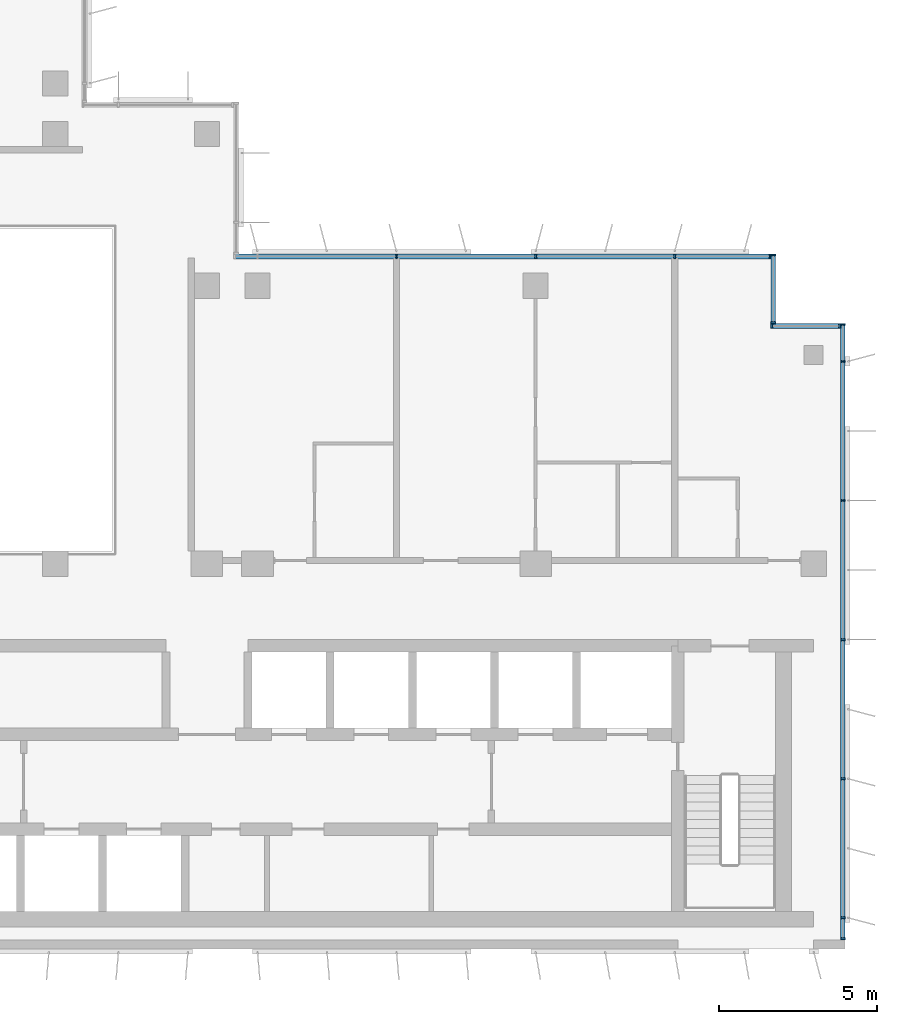
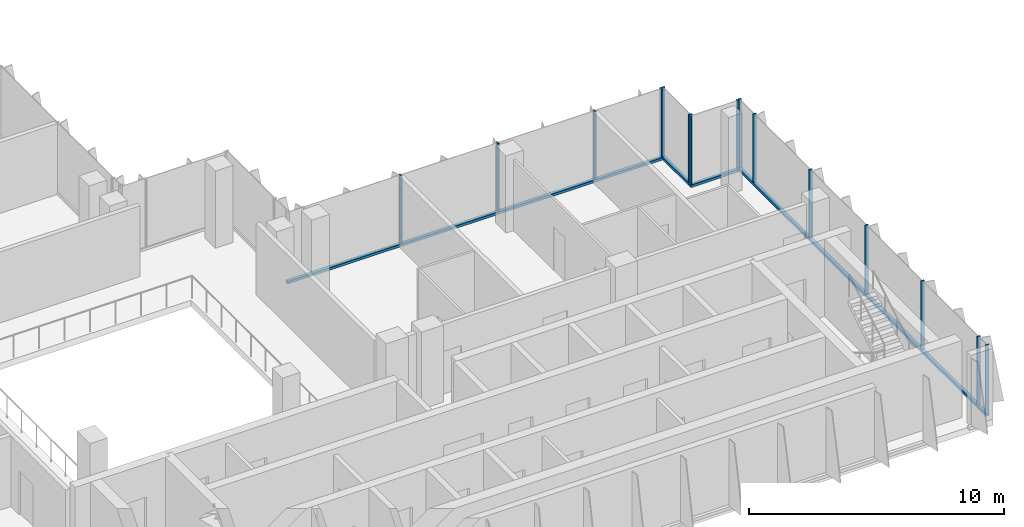
# One storey, part 3 of 16: 19 members, 4 elements without a shape of their own.
"""IFC4 building model written with IfcOpenShell, lengths in metres."""

from ifc_helpers import new_model, si_unit, direction, frame, origin, origin_2d, place, context, subcontext, project, spatial, rectangle, extrude, source, transform, mapped, material, material_profile, profile_set, type_object, element, aggregate, save


model = new_model("IFC4")

# Units and contexts
model_context = context("Model", 3, precision=1e-05, world=origin(), true_north=direction((0.0, 1.0)))
body_context = subcontext(model_context, "Body", "Model", "MODEL_VIEW")
ifc_project = project(units=[si_unit("LENGTHUNIT", "METRE"), si_unit("AREAUNIT", "SQUARE_METRE"), si_unit("VOLUMEUNIT", "CUBIC_METRE"), si_unit("PLANEANGLEUNIT", "RADIAN"), si_unit("MASSUNIT", "GRAM", prefix="KILO")], contexts=[model_context])

# Site, building, storey
site_placement = place(None, origin())
site = spatial("IfcSite", under=ifc_project, at=site_placement, CompositionType="ELEMENT")
building_placement = place(site_placement, origin())
building = spatial("IfcBuilding", under=site, at=building_placement, Name="Kemantara Hotel Tower", CompositionType="ELEMENT")
storey_placement = place(building_placement, frame((0.0, 0.0, 283.300048828125)))
storey = spatial("IfcBuildingStorey", under=building, at=storey_placement, Name="L71", CompositionType="ELEMENT", Elevation=283.300048828125)

# Curtain wall, member
ifc_material_1 = material(Name="Low-E tinted double insulated glass 36 mm", Category="glass")
curtain_wall_type = type_object("IfcCurtainWallType", Name="TOWER CURTAIN WALL, FRONT FACES", PredefinedType="USERDEFINED", material=ifc_material_1)
curtain_wall_1_placement = place(storey_placement, origin())
curtain_wall_1 = element("IfcCurtainWall", 1, at=curtain_wall_1_placement, inside=storey, type_object=curtain_wall_type, Name="CW4 L71 T4-R09-1", ObjectType="TOWER CURTAIN WALL, FRONT FACES", PredefinedType="USERDEFINED")
ifc_material_2 = material(Name="Aluminium 6063-T6 bronze anodised", Category="aluminium")
ifc_material_profile_1 = material_profile(ifc_material_2, rectangle(XDim=0.14990234375, YDim=0.1201171875, at=origin_2d()), Name="TOWER CURTAIN WALL, FRONT FACES TRANSOM")
ifc_profile_set_1 = profile_set([ifc_material_profile_1], Name="Aluminium 6063-T6 bronze anodised")
member_type_1 = type_object("IfcMemberType", Name="TOWER CURTAIN WALL, FRONT FACES TRANSOM", PredefinedType="USERDEFINED", material=ifc_profile_set_1)
member_1_placement = place(storey_placement, frame((45.925048828125, 0.300048828125, 0.06005859375), z_axis=(0.0, 1.0, 0.0), x_axis=(-1.0, 0.0, 0.0)))
member_1 = element("IfcMember", 2, at=member_1_placement, type_object=member_type_1, Name="CW4 sill transom T4-R09-1", ObjectType="TRANSOM", PredefinedType="USERDEFINED", context=body_context, shape_type="SweptSolid", body=[
    extrude(rectangle(XDim=0.14990234375, YDim=0.1201171875, at=origin_2d()), origin(), (0.0, 0.0, 1.0), 19.5),
])

curtain_wall_2_placement = place(storey_placement, origin())
curtain_wall_2 = element("IfcCurtainWall", 3, at=curtain_wall_2_placement, inside=storey, type_object=curtain_wall_type, Name="CW4 L71 T4-R12-1", ObjectType="TOWER CURTAIN WALL, FRONT FACES", PredefinedType="USERDEFINED")
member_2_placement = place(storey_placement, frame((43.64990234375, 21.925048828125, 0.06005859375), z_axis=(-1.0, 0.0, 0.0), x_axis=(0.0, -1.0, 0.0)))
member_2 = element("IfcMember", 4, at=member_2_placement, type_object=member_type_1, Name="CW4 sill transom T4-R12-1", ObjectType="TRANSOM", PredefinedType="USERDEFINED", context=body_context, shape_type="SweptSolid", body=[
    extrude(rectangle(XDim=0.14990234375, YDim=0.1201171875, at=origin_2d()), origin(), (0.0, 0.0, 1.0), 17.0),
])

curtain_wall_3_placement = place(storey_placement, origin())
curtain_wall_3 = element("IfcCurtainWall", 5, at=curtain_wall_3_placement, inside=storey, type_object=curtain_wall_type, Name="CW4 L71 T4-R10-1", ObjectType="TOWER CURTAIN WALL, FRONT FACES", PredefinedType="USERDEFINED")
member_3_placement = place(storey_placement, frame((45.85009765625, 19.72509765625, 0.06005859375), z_axis=(-1.0, 0.0, 0.0), x_axis=(0.0, -1.0, 0.0)))
member_3 = element("IfcMember", 6, at=member_3_placement, type_object=member_type_1, Name="CW4 sill transom T4-R10-1", ObjectType="TRANSOM", PredefinedType="USERDEFINED", context=body_context, shape_type="SweptSolid", body=[
    extrude(rectangle(XDim=0.14990234375, YDim=0.1201171875, at=origin_2d()), origin(), (0.0, 0.0, 1.0), 2.2001953125),
])

curtain_wall_4_placement = place(storey_placement, origin())
curtain_wall_4 = element("IfcCurtainWall", 7, at=curtain_wall_4_placement, inside=storey, type_object=curtain_wall_type, Name="CW4 L71 T4-R11-1", ObjectType="TOWER CURTAIN WALL, FRONT FACES", PredefinedType="USERDEFINED")
member_4_placement = place(storey_placement, frame((43.72509765625, 19.800048828125, 0.06005859375), z_axis=(0.0, 1.0, 0.0), x_axis=(-1.0, 0.0, 0.0)))
member_4 = element("IfcMember", 8, at=member_4_placement, type_object=member_type_1, Name="CW4 sill transom T4-R11-1", ObjectType="TRANSOM", PredefinedType="USERDEFINED", context=body_context, shape_type="SweptSolid", body=[
    extrude(rectangle(XDim=0.14990234375, YDim=0.1201171875, at=origin_2d()), origin(), (0.0, 0.0, 1.0), 2.199951171875),
])

# Member
ifc_material_profile_2 = material_profile(ifc_material_2, rectangle(XDim=0.14990234375, YDim=0.06005859375, at=origin_2d()), Name="TOWER CURTAIN WALL, FRONT FACES MULLION")
ifc_profile_set_2 = profile_set([ifc_material_profile_2], Name="Aluminium 6063-T6 bronze anodised")
member_type_2 = type_object("IfcMemberType", Name="TOWER CURTAIN WALL, FRONT FACES MULLION", PredefinedType="MULLION", material=ifc_profile_set_2)
shared_shape = source(origin(), body_context, "Body", "SweptSolid", [
    extrude(rectangle(XDim=0.14990234375, YDim=0.06005859375, at=origin_2d()), origin(), (0.0, 0.0, 1.0), 3.280029296875),
])
member_5_placement = place(storey_placement, frame((45.925048828125, 0.330078125, 0.119873046875), z_axis=(0.0, 0.0, 1.0), x_axis=(-1.0, 0.0, 0.0)))
member_5 = element("IfcMember", 9, at=member_5_placement, type_object=member_type_2, Name="CW4 mullion T4-R09-1.1", PredefinedType="MULLION", context=body_context, shape_type="MappedRepresentation", body=[
    mapped(shared_shape, transform((0.0, 0.0, 0.0))),
])

member_6_placement = place(storey_placement, frame((45.925048828125, 1.0, 0.119873046875), z_axis=(0.0, 0.0, 1.0), x_axis=(-1.0, 0.0, 0.0)))
member_6 = element("IfcMember", 10, at=member_6_placement, type_object=member_type_2, Name="CW4 mullion T4-R09-1.2", PredefinedType="MULLION", context=body_context, shape_type="MappedRepresentation", body=[
    mapped(shared_shape, transform((0.0, 0.0, 0.0))),
])

member_7_placement = place(storey_placement, frame((45.925048828125, 5.39990234375, 0.119873046875), z_axis=(0.0, 0.0, 1.0), x_axis=(-1.0, 0.0, 0.0)))
member_7 = element("IfcMember", 11, at=member_7_placement, type_object=member_type_2, Name="CW4 mullion T4-R09-1.3", PredefinedType="MULLION", context=body_context, shape_type="MappedRepresentation", body=[
    mapped(shared_shape, transform((0.0, 0.0, 0.0))),
])

member_8_placement = place(storey_placement, frame((45.925048828125, 9.800048828125, 0.119873046875), z_axis=(0.0, 0.0, 1.0), x_axis=(-1.0, 0.0, 0.0)))
member_8 = element("IfcMember", 12, at=member_8_placement, type_object=member_type_2, Name="CW4 mullion T4-R09-1.4", PredefinedType="MULLION", context=body_context, shape_type="MappedRepresentation", body=[
    mapped(shared_shape, transform((0.0, 0.0, 0.0))),
])

member_9_placement = place(storey_placement, frame((45.925048828125, 14.199951171875, 0.119873046875), z_axis=(0.0, 0.0, 1.0), x_axis=(-1.0, 0.0, 0.0)))
member_9 = element("IfcMember", 13, at=member_9_placement, type_object=member_type_2, Name="CW4 mullion T4-R09-1.5", PredefinedType="MULLION", context=body_context, shape_type="MappedRepresentation", body=[
    mapped(shared_shape, transform((0.0, 0.0, 0.0))),
])

member_10_placement = place(storey_placement, frame((45.925048828125, 18.60009765625, 0.119873046875), z_axis=(0.0, 0.0, 1.0), x_axis=(-1.0, 0.0, 0.0)))
member_10 = element("IfcMember", 14, at=member_10_placement, type_object=member_type_2, Name="CW4 mullion T4-R09-1.6", PredefinedType="MULLION", context=body_context, shape_type="MappedRepresentation", body=[
    mapped(shared_shape, transform((0.0, 0.0, 0.0))),
])

member_11_placement = place(storey_placement, frame((45.925048828125, 19.77001953125, 0.119873046875), z_axis=(0.0, 0.0, 1.0), x_axis=(-1.0, 0.0, 0.0)))
member_11 = element("IfcMember", 15, at=member_11_placement, type_object=member_type_2, Name="CW4 mullion T4-R09-1.7", PredefinedType="MULLION", context=body_context, shape_type="MappedRepresentation", body=[
    mapped(shared_shape, transform((0.0, 0.0, 0.0))),
])

aggregate(curtain_wall_1, [member_1, member_5, member_6, member_7, member_8, member_9, member_10, member_11])

member_12_placement = place(storey_placement, frame((43.6201171875, 21.925048828125, 0.119873046875), z_axis=(0.0, 0.0, 1.0), x_axis=(0.0, -1.0, 0.0)))
member_12 = element("IfcMember", 16, at=member_12_placement, type_object=member_type_2, Name="CW4 mullion T4-R12-1.1", PredefinedType="MULLION", context=body_context, shape_type="MappedRepresentation", body=[
    mapped(shared_shape, transform((0.0, 0.0, 0.0))),
])

member_13_placement = place(storey_placement, frame((40.60009765625, 21.925048828125, 0.119873046875), z_axis=(0.0, 0.0, 1.0), x_axis=(0.0, -1.0, 0.0)))
member_13 = element("IfcMember", 17, at=member_13_placement, type_object=member_type_2, Name="CW4 mullion T4-R12-1.2", PredefinedType="MULLION", context=body_context, shape_type="MappedRepresentation", body=[
    mapped(shared_shape, transform((0.0, 0.0, 0.0))),
])

member_14_placement = place(storey_placement, frame((36.199951171875, 21.925048828125, 0.119873046875), z_axis=(0.0, 0.0, 1.0), x_axis=(0.0, -1.0, 0.0)))
member_14 = element("IfcMember", 18, at=member_14_placement, type_object=member_type_2, Name="CW4 mullion T4-R12-1.3", PredefinedType="MULLION", context=body_context, shape_type="MappedRepresentation", body=[
    mapped(shared_shape, transform((0.0, 0.0, 0.0))),
])

member_15_placement = place(storey_placement, frame((31.800048828125, 21.925048828125, 0.119873046875), z_axis=(0.0, 0.0, 1.0), x_axis=(0.0, -1.0, 0.0)))
member_15 = element("IfcMember", 19, at=member_15_placement, type_object=member_type_2, Name="CW4 mullion T4-R12-1.4", PredefinedType="MULLION", context=body_context, shape_type="MappedRepresentation", body=[
    mapped(shared_shape, transform((0.0, 0.0, 0.0))),
])

aggregate(curtain_wall_2, [member_2, member_12, member_13, member_14, member_15])

member_16_placement = place(storey_placement, frame((45.820068359375, 19.72509765625, 0.119873046875), z_axis=(0.0, 0.0, 1.0), x_axis=(0.0, -1.0, 0.0)))
member_16 = element("IfcMember", 20, at=member_16_placement, type_object=member_type_2, Name="CW4 mullion T4-R10-1.1", PredefinedType="MULLION", context=body_context, shape_type="MappedRepresentation", body=[
    mapped(shared_shape, transform((0.0, 0.0, 0.0))),
])

member_17_placement = place(storey_placement, frame((43.679931640625, 19.72509765625, 0.119873046875), z_axis=(0.0, 0.0, 1.0), x_axis=(0.0, -1.0, 0.0)))
member_17 = element("IfcMember", 21, at=member_17_placement, type_object=member_type_2, Name="CW4 mullion T4-R10-1.2", PredefinedType="MULLION", context=body_context, shape_type="MappedRepresentation", body=[
    mapped(shared_shape, transform((0.0, 0.0, 0.0))),
])

aggregate(curtain_wall_3, [member_3, member_16, member_17])

member_18_placement = place(storey_placement, frame((43.72509765625, 19.830078125, 0.119873046875), z_axis=(0.0, 0.0, 1.0), x_axis=(-1.0, 0.0, 0.0)))
member_18 = element("IfcMember", 22, at=member_18_placement, type_object=member_type_2, Name="CW4 mullion T4-R11-1.1", PredefinedType="MULLION", context=body_context, shape_type="MappedRepresentation", body=[
    mapped(shared_shape, transform((0.0, 0.0, 0.0))),
])

member_19_placement = place(storey_placement, frame((43.72509765625, 21.969970703125, 0.119873046875), z_axis=(0.0, 0.0, 1.0), x_axis=(-1.0, 0.0, 0.0)))
member_19 = element("IfcMember", 23, at=member_19_placement, type_object=member_type_2, Name="CW4 mullion T4-R11-1.2", PredefinedType="MULLION", context=body_context, shape_type="MappedRepresentation", body=[
    mapped(shared_shape, transform((0.0, 0.0, 0.0))),
])

aggregate(curtain_wall_4, [member_4, member_18, member_19])

save(model, "model.ifc")
